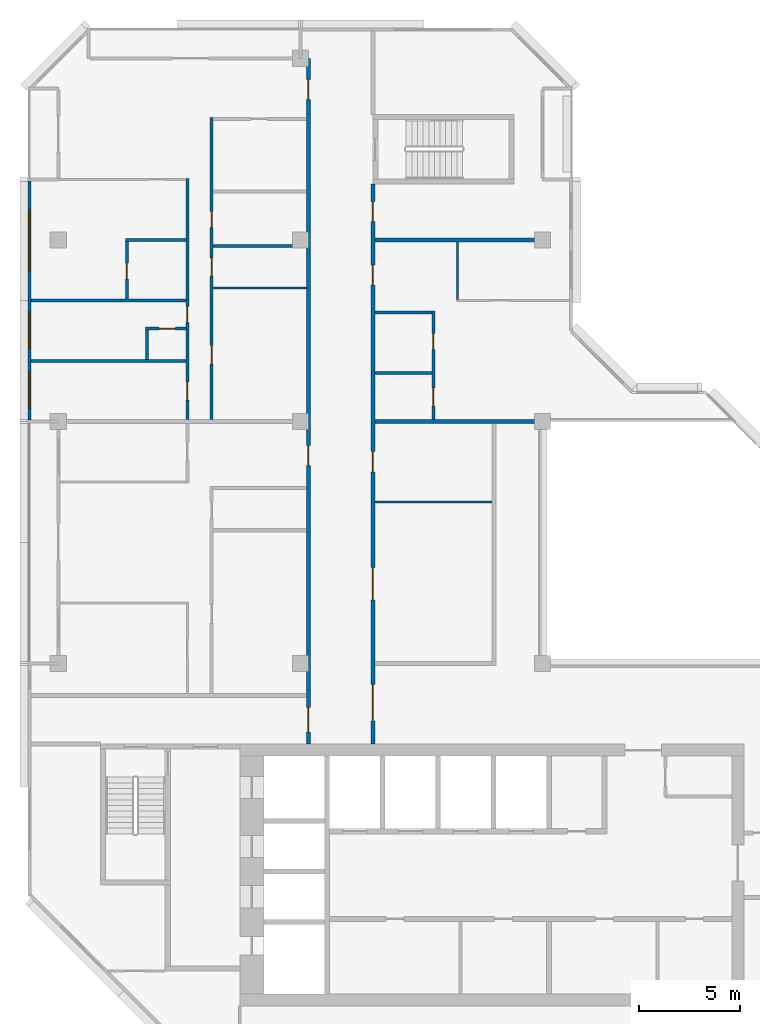
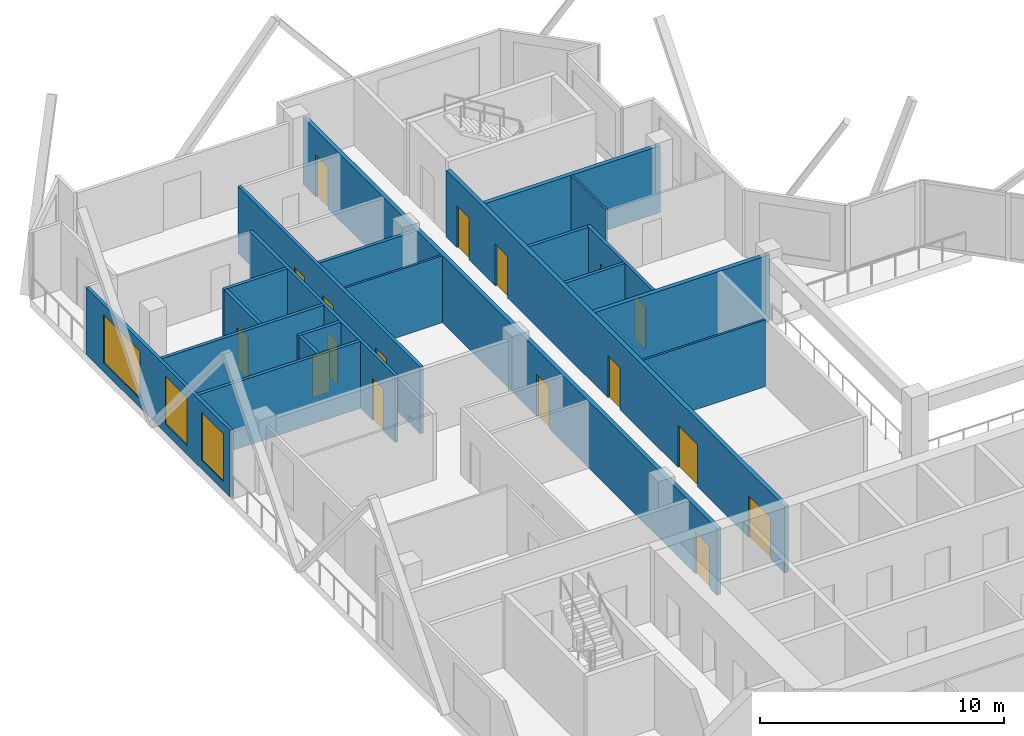
# One storey, part 9 of 13: 20 walls, 17 doors, 3 windows, 20 openings.
"""IFC4 building model written with IfcOpenShell, lengths in metres."""

from ifc_helpers import new_model, si_unit, direction, frame, frame_2d, origin, place, context, subcontext, project, spatial, rectangle, extrude, material, layer, layer_set, type_object, element, fill, save


model = new_model("IFC4")

# Units and contexts
model_context = context("Model", 3, precision=1e-05, world=origin(), true_north=direction((0.0, 1.0)))
body_context = subcontext(model_context, "Body", "Model", "MODEL_VIEW")
ifc_project = project(units=[si_unit("LENGTHUNIT", "METRE"), si_unit("AREAUNIT", "SQUARE_METRE"), si_unit("VOLUMEUNIT", "CUBIC_METRE"), si_unit("PLANEANGLEUNIT", "RADIAN"), si_unit("MASSUNIT", "GRAM", prefix="KILO")], contexts=[model_context])

# Site, building, storey
site_placement = place(None, origin())
site = spatial("IfcSite", under=ifc_project, at=site_placement, CompositionType="ELEMENT")
building_placement = place(site_placement, origin())
building = spatial("IfcBuilding", under=site, at=building_placement, Name="Chenar Terraces", CompositionType="ELEMENT")
storey_placement = place(building_placement, frame((0.0, 0.0, 288.39990234375)))
storey = spatial("IfcBuildingStorey", under=building, at=storey_placement, Name="L67", CompositionType="ELEMENT", Elevation=288.39990234375)

# Wall, openings, doors
ifc_material_1 = material(Name="Gypsum board on steel studs with fire boards", Category="steel")
ifc_layer_1 = layer(ifc_material_1, 0.199951171875)
ifc_layer_set_1 = layer_set([ifc_layer_1], Name="Gypsum board on steel studs with fire boards")
wall_type_1 = type_object("IfcWallType", Name="Corridor wall 200", PredefinedType="PARTITIONING", material=ifc_layer_set_1)
wall_1_placement = place(storey_placement, frame((12.39990234375, 20.0, 0.0), z_axis=(0.0, 0.0, 1.0), x_axis=(0.0, 1.0, 0.0)))
wall_1 = element("IfcWall", 1, at=wall_1_placement, inside=storey, type_object=wall_type_1, Name="Partition L67-029", PredefinedType="PARTITIONING", context=body_context, shape_type="SweptSolid", body=[
    extrude(rectangle(XDim=34.0, YDim=0.199951171875, at=frame_2d((17.0, 0.0))), origin(), (0.0, 0.0, 1.0), 3.35009765625),
])
opening_1_placement = place(wall_1_placement, frame((31.949951171875, 0.0, 0.0)))
opening_1 = element("IfcOpeningElement", 2, at=opening_1_placement, cuts=wall_1, Name="Opening DL67-26", PredefinedType="OPENING", context=body_context, shape_type="SweptSolid", body=[
    extrude(rectangle(XDim=1.0, YDim=2.10009765625, at=frame_2d((0.5, 1.050048828125))), frame((0.0, 0.10986328125, 0.0), z_axis=(0.0, -1.0, 0.0), x_axis=(1.0, 0.0, 0.0)), (0.0, 0.0, 1.0), 0.219970703125),
])
opening_2_placement = place(wall_1_placement, frame((0.60009765625, 0.0, 0.0)))
opening_2 = element("IfcOpeningElement", 3, at=opening_2_placement, cuts=wall_1, Name="Opening DL67-32", PredefinedType="OPENING", context=body_context, shape_type="SweptSolid", body=[
    extrude(rectangle(XDim=1.199951171875, YDim=2.10009765625, at=frame_2d((0.60009765625, 1.050048828125))), frame((0.0, 0.10986328125, 0.0), z_axis=(0.0, -1.0, 0.0), x_axis=(1.0, 0.0, 0.0)), (0.0, 0.0, 1.0), 0.219970703125),
])
opening_3_placement = place(wall_1_placement, frame((13.800048828125, 0.0, 0.0)))
opening_3 = element("IfcOpeningElement", 4, at=opening_3_placement, cuts=wall_1, Name="Opening DL67-52", PredefinedType="OPENING", context=body_context, shape_type="SweptSolid", body=[
    extrude(rectangle(XDim=1.0, YDim=2.10009765625, at=frame_2d((0.5, 1.050048828125))), frame((0.0, 0.10986328125, 0.0), z_axis=(0.0, -1.0, 0.0), x_axis=(1.0, 0.0, 0.0)), (0.0, 0.0, 1.0), 0.219970703125),
])
ifc_material_2 = material(Name="Steel-framed fire-resisting door leaf", Category="steel")
door_type_1 = type_object("IfcDoorType", Name="Fire door FD30S 1000 x 2100", OperationType="SINGLE_SWING_LEFT", PredefinedType="DOOR", material=ifc_material_2)
door_1_placement = place(opening_1_placement, origin())
door_1 = element("IfcDoor", 5, at=door_1_placement, inside=storey, type_object=door_type_1, Name="Door DL67-26", OperationType="SINGLE_SWING_RIGHT", OverallHeight=2.10009765625, OverallWidth=1.0, PredefinedType="DOOR", context=body_context, shape_type="SweptSolid", body=[
    extrude(rectangle(XDim=1.0, YDim=2.10009765625, at=frame_2d((0.5, 1.050048828125))), frame((0.0, 0.02490234375, 0.0), z_axis=(0.0, -1.0, 0.0), x_axis=(1.0, 0.0, 0.0)), (0.0, 0.0, 1.0), 0.050048828125),
])
fill(opening_1, door_1)
door_2_placement = place(opening_3_placement, origin())
door_2 = element("IfcDoor", 6, at=door_2_placement, inside=storey, type_object=door_type_1, Name="Door DL67-52", OperationType="SINGLE_SWING_RIGHT", OverallHeight=2.10009765625, OverallWidth=1.0, PredefinedType="DOOR", context=body_context, shape_type="SweptSolid", body=[
    extrude(rectangle(XDim=1.0, YDim=2.10009765625, at=frame_2d((0.5, 1.050048828125))), frame((0.0, 0.02490234375, 0.0), z_axis=(0.0, -1.0, 0.0), x_axis=(1.0, 0.0, 0.0)), (0.0, 0.0, 1.0), 0.050048828125),
])
fill(opening_3, door_2)
ifc_material_3 = material(Name="Steel-framed fire-resisting door leaf", Category="steel")
door_type_2 = type_object("IfcDoorType", Name="Fire door FD30S 1200 x 2100", OperationType="SINGLE_SWING_LEFT", PredefinedType="DOOR", material=ifc_material_3)
door_3_placement = place(opening_2_placement, origin())
door_3 = element("IfcDoor", 7, at=door_3_placement, inside=storey, type_object=door_type_2, Name="Door DL67-32", OperationType="SINGLE_SWING_RIGHT", OverallHeight=2.10009765625, OverallWidth=1.199951171875, PredefinedType="DOOR", context=body_context, shape_type="SweptSolid", body=[
    extrude(rectangle(XDim=1.199951171875, YDim=2.10009765625, at=frame_2d((0.60009765625, 1.050048828125))), frame((0.0, 0.02490234375, 0.0), z_axis=(0.0, -1.0, 0.0), x_axis=(1.0, 0.0, 0.0)), (0.0, 0.0, 1.0), 0.050048828125),
])
fill(opening_2, door_3)

wall_2_placement = place(storey_placement, frame((15.60009765625, 20.0, 0.0), z_axis=(0.0, 0.0, 1.0), x_axis=(0.0, 1.0, 0.0)))
wall_2 = element("IfcWall", 8, at=wall_2_placement, inside=storey, type_object=wall_type_1, Name="Partition L67-031", PredefinedType="PARTITIONING", context=body_context, shape_type="SweptSolid", body=[
    extrude(rectangle(XDim=27.77490234375, YDim=0.199951171875, at=frame_2d((13.887451171875, 0.0))), origin(), (0.0, 0.0, 1.0), 3.35009765625),
])
opening_4_placement = place(wall_2_placement, frame((7.14990234375, 0.0, 0.0)))
opening_4 = element("IfcOpeningElement", 9, at=opening_4_placement, cuts=wall_2, Name="Opening DL67-1", PredefinedType="OPENING", context=body_context, shape_type="SweptSolid", body=[
    extrude(rectangle(XDim=1.60009765625, YDim=2.10009765625, at=frame_2d((0.800048828125, 1.050048828125))), frame((0.0, 0.10986328125, 0.0), z_axis=(0.0, -1.0, 0.0), x_axis=(1.0, 0.0, 0.0)), (0.0, 0.0, 1.0), 0.219970703125),
])
opening_5_placement = place(wall_2_placement, frame((13.5, 0.0, 0.0)))
opening_5 = element("IfcOpeningElement", 10, at=opening_5_placement, cuts=wall_2, Name="Opening DL67-2", PredefinedType="OPENING", context=body_context, shape_type="SweptSolid", body=[
    extrude(rectangle(XDim=1.0, YDim=2.10009765625, at=frame_2d((0.5, 1.050048828125))), frame((0.0, 0.10986328125, 0.0), z_axis=(0.0, -1.0, 0.0), x_axis=(1.0, 0.0, 0.0)), (0.0, 0.0, 1.0), 0.219970703125),
])
opening_6_placement = place(wall_2_placement, frame((22.75, 0.0, 0.0)))
opening_6 = element("IfcOpeningElement", 11, at=opening_6_placement, cuts=wall_2, Name="Opening DL67-19", PredefinedType="OPENING", context=body_context, shape_type="SweptSolid", body=[
    extrude(rectangle(XDim=1.0, YDim=2.10009765625, at=frame_2d((0.5, 1.050048828125))), frame((0.0, 0.10986328125, 0.0), z_axis=(0.0, -1.0, 0.0), x_axis=(1.0, 0.0, 0.0)), (0.0, 0.0, 1.0), 0.219970703125),
])
opening_7_placement = place(wall_2_placement, frame((1.14990234375, 0.0, 0.0)))
opening_7 = element("IfcOpeningElement", 12, at=opening_7_placement, cuts=wall_2, Name="Opening DL67-31", PredefinedType="OPENING", context=body_context, shape_type="SweptSolid", body=[
    extrude(rectangle(XDim=1.800048828125, YDim=2.10009765625, at=frame_2d((0.89990234375, 1.050048828125))), frame((0.0, 0.10986328125, 0.0), z_axis=(0.0, -1.0, 0.0), x_axis=(1.0, 0.0, 0.0)), (0.0, 0.0, 1.0), 0.219970703125),
])
opening_8_placement = place(wall_2_placement, frame((25.89990234375, 0.0, 0.0)))
opening_8 = element("IfcOpeningElement", 13, at=opening_8_placement, cuts=wall_2, Name="Opening DL67-34", PredefinedType="OPENING", context=body_context, shape_type="SweptSolid", body=[
    extrude(rectangle(XDim=1.0, YDim=2.10009765625, at=frame_2d((0.5, 1.050048828125))), frame((0.0, 0.10986328125, 0.0), z_axis=(0.0, -1.0, 0.0), x_axis=(1.0, 0.0, 0.0)), (0.0, 0.0, 1.0), 0.219970703125),
])
ifc_material_4 = material(Name="Steel-framed fire-resisting door leaf", Category="steel")
door_type_3 = type_object("IfcDoorType", Name="Fire door FD60 1000 x 2100", OperationType="SINGLE_SWING_LEFT", PredefinedType="DOOR", material=ifc_material_4)
door_4_placement = place(opening_5_placement, frame((1.0, 0.0, 0.0), z_axis=(0.0, 0.0, 1.0), x_axis=(-1.0, 0.0, 0.0)))
door_4 = element("IfcDoor", 14, at=door_4_placement, inside=storey, type_object=door_type_3, Name="Door DL67-2", OperationType="SINGLE_SWING_LEFT", OverallHeight=2.10009765625, OverallWidth=1.0, PredefinedType="DOOR", context=body_context, shape_type="SweptSolid", body=[
    extrude(rectangle(XDim=1.0, YDim=2.10009765625, at=frame_2d((0.5, 1.050048828125))), frame((0.0, 0.02490234375, 0.0), z_axis=(0.0, -1.0, 0.0), x_axis=(1.0, 0.0, 0.0)), (0.0, 0.0, 1.0), 0.050048828125),
])
fill(opening_5, door_4)
door_5_placement = place(opening_6_placement, frame((1.0, 0.0, 0.0), z_axis=(0.0, 0.0, 1.0), x_axis=(-1.0, 0.0, 0.0)))
door_5 = element("IfcDoor", 15, at=door_5_placement, inside=storey, type_object=door_type_3, Name="Door DL67-19", OperationType="SINGLE_SWING_LEFT", OverallHeight=2.10009765625, OverallWidth=1.0, PredefinedType="DOOR", context=body_context, shape_type="SweptSolid", body=[
    extrude(rectangle(XDim=1.0, YDim=2.10009765625, at=frame_2d((0.5, 1.050048828125))), frame((0.0, 0.02490234375, 0.0), z_axis=(0.0, -1.0, 0.0), x_axis=(1.0, 0.0, 0.0)), (0.0, 0.0, 1.0), 0.050048828125),
])
fill(opening_6, door_5)
door_6_placement = place(opening_8_placement, frame((1.0, 0.0, 0.0), z_axis=(0.0, 0.0, 1.0), x_axis=(-1.0, 0.0, 0.0)))
door_6 = element("IfcDoor", 16, at=door_6_placement, inside=storey, type_object=door_type_3, Name="Door DL67-34", OperationType="SINGLE_SWING_RIGHT", OverallHeight=2.10009765625, OverallWidth=1.0, PredefinedType="DOOR", context=body_context, shape_type="SweptSolid", body=[
    extrude(rectangle(XDim=1.0, YDim=2.10009765625, at=frame_2d((0.5, 1.050048828125))), frame((0.0, 0.02490234375, 0.0), z_axis=(0.0, -1.0, 0.0), x_axis=(1.0, 0.0, 0.0)), (0.0, 0.0, 1.0), 0.050048828125),
])
fill(opening_8, door_6)
ifc_material_5 = material(Name="Steel-framed fire-resisting door leaf", Category="steel")
door_type_4 = type_object("IfcDoorType", Name="Fire double door FD60 1600 x 2100", OperationType="DOUBLE_DOOR_SINGLE_SWING", PredefinedType="DOOR", material=ifc_material_5)
door_7_placement = place(opening_4_placement, frame((1.60009765625, 0.0, 0.0), z_axis=(0.0, 0.0, 1.0), x_axis=(-1.0, 0.0, 0.0)))
door_7 = element("IfcDoor", 17, at=door_7_placement, inside=storey, type_object=door_type_4, Name="Door DL67-1", OperationType="DOUBLE_DOOR_SINGLE_SWING", OverallHeight=2.10009765625, OverallWidth=1.60009765625, PredefinedType="DOOR", context=body_context, shape_type="SweptSolid", body=[
    extrude(rectangle(XDim=1.60009765625, YDim=2.10009765625, at=frame_2d((0.800048828125, 1.050048828125))), frame((0.0, 0.02490234375, 0.0), z_axis=(0.0, -1.0, 0.0), x_axis=(1.0, 0.0, 0.0)), (0.0, 0.0, 1.0), 0.050048828125),
])
fill(opening_4, door_7)
ifc_material_6 = material(Name="Steel-framed fire-resisting door leaf", Category="steel")
door_type_5 = type_object("IfcDoorType", Name="Fire double door FD60 1800 x 2100", OperationType="DOUBLE_DOOR_SINGLE_SWING", PredefinedType="DOOR", material=ifc_material_6)
door_8_placement = place(opening_7_placement, frame((1.800048828125, 0.0, 0.0), z_axis=(0.0, 0.0, 1.0), x_axis=(-1.0, 0.0, 0.0)))
door_8 = element("IfcDoor", 18, at=door_8_placement, inside=storey, type_object=door_type_5, Name="Door DL67-31", OperationType="DOUBLE_DOOR_SINGLE_SWING", OverallHeight=2.10009765625, OverallWidth=1.800048828125, PredefinedType="DOOR", context=body_context, shape_type="SweptSolid", body=[
    extrude(rectangle(XDim=1.800048828125, YDim=2.10009765625, at=frame_2d((0.89990234375, 1.050048828125))), frame((0.0, 0.02490234375, 0.0), z_axis=(0.0, -1.0, 0.0), x_axis=(1.0, 0.0, 0.0)), (0.0, 0.0, 1.0), 0.050048828125),
])
fill(opening_7, door_8)

# Wall, openings, windows
ifc_material_7 = material(Name="Aluminium framed glazing", Category="aluminium")
ifc_layer_2 = layer(ifc_material_7, 0.14990234375)
ifc_layer_set_2 = layer_set([ifc_layer_2], Name="Aluminium framed glazing")
wall_type_2 = type_object("IfcWallType", Name="Glazed flush facade wall 150", PredefinedType="SOLIDWALL", material=ifc_layer_set_2)
wall_3_placement = place(storey_placement, frame((-1.425048828125, 47.925048828125, 0.0), z_axis=(0.0, 0.0, 1.0), x_axis=(0.0, -1.0, 0.0)))
wall_3 = element("IfcWall", 19, at=wall_3_placement, inside=storey, type_object=wall_type_2, Name="Glazed flush facade wall", PredefinedType="SOLIDWALL", context=body_context, shape_type="SweptSolid", body=[
    extrude(rectangle(XDim=11.85009765625, YDim=0.14990234375, at=frame_2d((5.925048828125, 0.0))), origin(), (0.0, 0.0, 1.0), 3.35009765625),
])
opening_9_placement = place(wall_3_placement, frame((1.46240234375, 0.0, 0.449951171875)))
opening_9 = element("IfcOpeningElement", 20, at=opening_9_placement, cuts=wall_3, Name="Opening W300x240", PredefinedType="OPENING", context=body_context, shape_type="SweptSolid", body=[
    extrude(rectangle(XDim=3.0, YDim=2.39990234375, at=frame_2d((1.5, 1.199951171875))), frame((0.0, 0.0849609375, 0.0), z_axis=(0.0, -1.0, 0.0), x_axis=(1.0, 0.0, 0.0)), (0.0, 0.0, 1.0), 0.169921875),
])
opening_10_placement = place(wall_3_placement, frame((6.52490234375, 0.0, 0.449951171875)))
opening_10 = element("IfcOpeningElement", 21, at=opening_10_placement, cuts=wall_3, Name="Opening W180x240", PredefinedType="OPENING", context=body_context, shape_type="SweptSolid", body=[
    extrude(rectangle(XDim=1.800048828125, YDim=2.39990234375, at=frame_2d((0.89990234375, 1.199951171875))), frame((0.0, 0.0849609375, 0.0), z_axis=(0.0, -1.0, 0.0), x_axis=(1.0, 0.0, 0.0)), (0.0, 0.0, 1.0), 0.169921875),
])
opening_11_placement = place(wall_3_placement, frame((9.487548828125, 0.0, 0.449951171875)))
opening_11 = element("IfcOpeningElement", 22, at=opening_11_placement, cuts=wall_3, Name="Opening W180x240", PredefinedType="OPENING", context=body_context, shape_type="SweptSolid", body=[
    extrude(rectangle(XDim=1.800048828125, YDim=2.39990234375, at=frame_2d((0.89990234375, 1.199951171875))), frame((0.0, 0.0849609375, 0.0), z_axis=(0.0, -1.0, 0.0), x_axis=(1.0, 0.0, 0.0)), (0.0, 0.0, 1.0), 0.169921875),
])
ifc_material_8 = material(Name="Low emissivity double glazing, aluminium frame", Category="aluminium")
window_type_1 = type_object("IfcWindowType", Name="Fixed light 1800 x 2400", PartitioningType="SINGLE_PANEL", PredefinedType="WINDOW", material=ifc_material_8)
window_1_placement = place(opening_10_placement, origin())
window_1 = element("IfcWindow", 23, at=window_1_placement, inside=storey, type_object=window_type_1, Name="Window", OverallHeight=2.39990234375, OverallWidth=1.800048828125, PartitioningType="SINGLE_PANEL", PredefinedType="WINDOW", context=body_context, shape_type="SweptSolid", body=[
    extrude(rectangle(XDim=1.800048828125, YDim=2.39990234375, at=frame_2d((0.89990234375, 1.199951171875))), frame((0.0, 0.030029296875, 0.0), z_axis=(0.0, -1.0, 0.0), x_axis=(1.0, 0.0, 0.0)), (0.0, 0.0, 1.0), 0.06005859375),
])
fill(opening_10, window_1)
window_2_placement = place(opening_11_placement, origin())
window_2 = element("IfcWindow", 24, at=window_2_placement, inside=storey, type_object=window_type_1, Name="Window", OverallHeight=2.39990234375, OverallWidth=1.800048828125, PartitioningType="SINGLE_PANEL", PredefinedType="WINDOW", context=body_context, shape_type="SweptSolid", body=[
    extrude(rectangle(XDim=1.800048828125, YDim=2.39990234375, at=frame_2d((0.89990234375, 1.199951171875))), frame((0.0, 0.030029296875, 0.0), z_axis=(0.0, -1.0, 0.0), x_axis=(1.0, 0.0, 0.0)), (0.0, 0.0, 1.0), 0.06005859375),
])
fill(opening_11, window_2)
ifc_material_9 = material(Name="Low emissivity double glazing, aluminium frame", Category="aluminium")
window_type_2 = type_object("IfcWindowType", Name="Fixed light 3000 x 2400", PartitioningType="SINGLE_PANEL", PredefinedType="WINDOW", material=ifc_material_9)
window_3_placement = place(opening_9_placement, origin())
window_3 = element("IfcWindow", 25, at=window_3_placement, inside=storey, type_object=window_type_2, Name="Window", OverallHeight=2.39990234375, OverallWidth=3.0, PartitioningType="SINGLE_PANEL", PredefinedType="WINDOW", context=body_context, shape_type="SweptSolid", body=[
    extrude(rectangle(XDim=3.0, YDim=2.39990234375, at=frame_2d((1.5, 1.199951171875))), frame((0.0, 0.030029296875, 0.0), z_axis=(0.0, -1.0, 0.0), x_axis=(1.0, 0.0, 0.0)), (0.0, 0.0, 1.0), 0.06005859375),
])
fill(opening_9, window_3)

# Walls
ifc_material_10 = material(Name="Gypsum board on steel studs", Category="steel")
ifc_layer_3 = layer(ifc_material_10, 0.10009765625)
ifc_layer_set_3 = layer_set([ifc_layer_3], Name="Gypsum board on steel studs")
wall_type_3 = type_object("IfcWallType", Name="Gypsum partition 100", PredefinedType="PARTITIONING", material=ifc_layer_set_3)
wall_4_placement = place(storey_placement, frame((7.675048828125, 42.60009765625, 0.0), z_axis=(0.0, 0.0, 1.0), x_axis=(1.0, 0.0, 0.0)))
element("IfcWall", 26, at=wall_4_placement, inside=storey, type_object=wall_type_3, Name="Partition L67-021", PredefinedType="PARTITIONING", context=body_context, shape_type="SweptSolid", body=[
    extrude(rectangle(XDim=4.625, YDim=0.10009765625, at=frame_2d((2.3125, 0.0))), origin(), (0.0, 0.0, 1.0), 3.35009765625),
])
wall_5_placement = place(storey_placement, frame((15.699951171875, 32.0, 0.0), z_axis=(0.0, 0.0, 1.0), x_axis=(1.0, 0.0, 0.0)))
element("IfcWall", 27, at=wall_5_placement, inside=storey, type_object=wall_type_3, Name="Partition L67-034", PredefinedType="PARTITIONING", context=body_context, shape_type="SweptSolid", body=[
    extrude(rectangle(XDim=5.800048828125, YDim=0.10009765625, at=frame_2d((2.89990234375, 0.0))), origin(), (0.0, 0.0, 1.0), 3.35009765625),
])
wall_6_placement = place(storey_placement, frame((19.800048828125, 42.050048828125, 0.0), z_axis=(0.0, 0.0, 1.0), x_axis=(0.0, 1.0, 0.0)))
element("IfcWall", 28, at=wall_6_placement, inside=storey, type_object=wall_type_3, Name="Partition L67-041", PredefinedType="PARTITIONING", context=body_context, shape_type="SweptSolid", body=[
    extrude(rectangle(XDim=2.849853515625, YDim=0.10009765625, at=frame_2d((1.4248046875, 0.0))), origin(), (0.0, 0.0, 1.0), 3.35009765625),
])
ifc_material_11 = material(Name="Twin gypsum board on steel studs with mineral wool", Category="steel")
ifc_layer_4 = layer(ifc_material_11, 0.199951171875)
ifc_layer_set_4 = layer_set([ifc_layer_4], Name="Twin gypsum board on steel studs with mineral wool")
wall_type_4 = type_object("IfcWallType", Name="Unit demising wall 200", PredefinedType="PARTITIONING", material=ifc_layer_set_4)
for number, where, z_axis, x_axis, name in (
    (29, (15.699951171875, 36.0, 0.0), (0.0, 0.0, 1.0), (1.0, 0.0, 0.0), "Partition L67-035"),
    (30, (15.699951171875, 45.0, 0.0), (0.0, 0.0, 1.0), (1.0, 0.0, 0.0), "Partition L67-038"),
):
    element("IfcWall", number, at=place(storey_placement, frame(where, z_axis=z_axis, x_axis=x_axis)), inside=storey, type_object=wall_type_4, Name=name, PredefinedType="PARTITIONING", context=body_context, shape_type="SweptSolid", body=[
        extrude(rectangle(XDim=8.300048828125, YDim=0.199951171875, at=frame_2d((4.14990234375, 0.0))), origin(), (0.0, 0.0, 1.0), 3.35009765625),
    ])
ifc_material_12 = material(Name="Moisture-resistant gypsum board on steel studs", Category="steel")
ifc_layer_5 = layer(ifc_material_12, 0.14990234375)
ifc_layer_set_5 = layer_set([ifc_layer_5], Name="Moisture-resistant gypsum board on steel studs")
wall_type_5 = type_object("IfcWallType", Name="Wet-room partition 150", PredefinedType="PARTITIONING", material=ifc_layer_set_5)
for number, where, z_axis, x_axis, name in (
    (31, (-1.35107421875, 39.0, 0.0), (0.0, 0.0, 1.0), (1.0, 0.0, 0.0), "Partition L67-001"),
    (32, (-1.35107421875, 42.0, 0.0), (0.0, 0.0, 1.0), (1.0, 0.0, 0.0), "Partition L67-002"),
):
    element("IfcWall", number, at=place(storey_placement, frame(where, z_axis=z_axis, x_axis=x_axis)), inside=storey, type_object=wall_type_5, Name=name, PredefinedType="PARTITIONING", context=body_context, shape_type="SweptSolid", body=[
        extrude(rectangle(XDim=7.676025390625, YDim=0.14990234375, at=frame_2d((3.837890625, 0.0))), origin(), (0.0, 0.0, 1.0), 3.35009765625),
    ])
wall_7_placement = place(storey_placement, frame((3.324951171875, 45.0, 0.0), z_axis=(0.0, 0.0, 1.0), x_axis=(1.0, 0.0, 0.0)))
element("IfcWall", 33, at=wall_7_placement, inside=storey, type_object=wall_type_5, Name="Partition L67-010", PredefinedType="PARTITIONING", context=body_context, shape_type="SweptSolid", body=[
    extrude(rectangle(XDim=3.0, YDim=0.14990234375, at=frame_2d((1.5, 0.0))), origin(), (0.0, 0.0, 1.0), 3.35009765625),
])

# Wall, opening, door
wall_8_placement = place(storey_placement, frame((3.39990234375, 42.074951171875, 0.0), z_axis=(0.0, 0.0, 1.0), x_axis=(0.0, 1.0, 0.0)))
wall_8 = element("IfcWall", 34, at=wall_8_placement, inside=storey, type_object=wall_type_5, Name="Partition L67-011", PredefinedType="PARTITIONING", context=body_context, shape_type="SweptSolid", body=[
    extrude(rectangle(XDim=2.85009765625, YDim=0.14990234375, at=frame_2d((1.425048828125, 0.0))), origin(), (0.0, 0.0, 1.0), 3.35009765625),
])
opening_12_placement = place(wall_8_placement, frame((0.97509765625, 0.0, 0.0)))
opening_12 = element("IfcOpeningElement", 35, at=opening_12_placement, cuts=wall_8, Name="Opening DL67-23", PredefinedType="OPENING", context=body_context, shape_type="SweptSolid", body=[
    extrude(rectangle(XDim=0.800048828125, YDim=2.10009765625, at=frame_2d((0.39990234375, 1.050048828125))), frame((0.0, 0.0849609375, 0.0), z_axis=(0.0, -1.0, 0.0), x_axis=(1.0, 0.0, 0.0)), (0.0, 0.0, 1.0), 0.169921875),
])
ifc_material_13 = material(Name="Veneered timber door leaf", Category="wood")
door_type_6 = type_object("IfcDoorType", Name="Door 800 x 2100", OperationType="SINGLE_SWING_LEFT", PredefinedType="DOOR", material=ifc_material_13)
door_9_placement = place(opening_12_placement, frame((0.800048828125, 0.0, 0.0), z_axis=(0.0, 0.0, 1.0), x_axis=(-1.0, 0.0, 0.0)))
door_9 = element("IfcDoor", 36, at=door_9_placement, inside=storey, type_object=door_type_6, Name="Door DL67-23", OperationType="SINGLE_SWING_RIGHT", OverallHeight=2.10009765625, OverallWidth=0.800048828125, PredefinedType="DOOR", context=body_context, shape_type="SweptSolid", body=[
    extrude(rectangle(XDim=0.800048828125, YDim=2.10009765625, at=frame_2d((0.39990234375, 1.050048828125))), frame((0.0, 0.02490234375, 0.0), z_axis=(0.0, -1.0, 0.0), x_axis=(1.0, 0.0, 0.0)), (0.0, 0.0, 1.0), 0.050048828125),
])
fill(opening_12, door_9)

wall_9_placement = place(storey_placement, frame((4.324951171875, 40.60009765625, 0.0), z_axis=(0.0, 0.0, 1.0), x_axis=(1.0, 0.0, 0.0)))
wall_9 = element("IfcWall", 37, at=wall_9_placement, inside=storey, type_object=wall_type_5, Name="Partition L67-012", PredefinedType="PARTITIONING", context=body_context, shape_type="SweptSolid", body=[
    extrude(rectangle(XDim=2.0, YDim=0.14990234375, at=frame_2d((1.0, 0.0))), origin(), (0.0, 0.0, 1.0), 3.35009765625),
])
opening_13_placement = place(wall_9_placement, frame((0.675048828125, 0.0, 0.0)))
opening_13 = element("IfcOpeningElement", 38, at=opening_13_placement, cuts=wall_9, Name="Opening DL67-28", PredefinedType="OPENING", context=body_context, shape_type="SweptSolid", body=[
    extrude(rectangle(XDim=0.800048828125, YDim=2.10009765625, at=frame_2d((0.39990234375, 1.050048828125))), frame((0.0, 0.0849609375, 0.0), z_axis=(0.0, -1.0, 0.0), x_axis=(1.0, 0.0, 0.0)), (0.0, 0.0, 1.0), 0.169921875),
])
door_10_placement = place(opening_13_placement, frame((0.800048828125, 0.0, 0.0), z_axis=(0.0, 0.0, 1.0), x_axis=(-1.0, 0.0, 0.0)))
door_10 = element("IfcDoor", 39, at=door_10_placement, inside=storey, type_object=door_type_6, Name="Door DL67-28", OperationType="SINGLE_SWING_RIGHT", OverallHeight=2.10009765625, OverallWidth=0.800048828125, PredefinedType="DOOR", context=body_context, shape_type="SweptSolid", body=[
    extrude(rectangle(XDim=0.800048828125, YDim=2.10009765625, at=frame_2d((0.39990234375, 1.050048828125))), frame((0.0, 0.02490234375, 0.0), z_axis=(0.0, -1.0, 0.0), x_axis=(1.0, 0.0, 0.0)), (0.0, 0.0, 1.0), 0.050048828125),
])
fill(opening_13, door_10)

# Wall
wall_10_placement = place(storey_placement, frame((4.39990234375, 39.074951171875, 0.0), z_axis=(0.0, 0.0, 1.0), x_axis=(0.0, 1.0, 0.0)))
element("IfcWall", 40, at=wall_10_placement, inside=storey, type_object=wall_type_5, Name="Partition L67-013", PredefinedType="PARTITIONING", context=body_context, shape_type="SweptSolid", body=[
    extrude(rectangle(XDim=1.449951171875, YDim=0.14990234375, at=frame_2d((0.72509765625, 0.0))), origin(), (0.0, 0.0, 1.0), 3.35009765625),
])

# Wall, openings, doors
wall_11_placement = place(storey_placement, frame((6.39990234375, 36.10009765625, 0.0), z_axis=(0.0, 0.0, 1.0), x_axis=(0.0, 1.0, 0.0)))
wall_11 = element("IfcWall", 41, at=wall_11_placement, inside=storey, type_object=wall_type_5, Name="Partition L67-016", PredefinedType="PARTITIONING", context=body_context, shape_type="SweptSolid", body=[
    extrude(rectangle(XDim=11.949951171875, YDim=0.14990234375, at=frame_2d((5.97509765625, 0.0))), origin(), (0.0, 0.0, 1.0), 3.35009765625),
])
opening_14_placement = place(wall_11_placement, frame((0.949951171875, 0.0, 0.0)))
opening_14 = element("IfcOpeningElement", 42, at=opening_14_placement, cuts=wall_11, Name="Opening DL67-21", PredefinedType="OPENING", context=body_context, shape_type="SweptSolid", body=[
    extrude(rectangle(XDim=0.89990234375, YDim=2.10009765625, at=frame_2d((0.449951171875, 1.050048828125))), frame((0.0, 0.0849609375, 0.0), z_axis=(0.0, -1.0, 0.0), x_axis=(1.0, 0.0, 0.0)), (0.0, 0.0, 1.0), 0.169921875),
])
opening_15_placement = place(wall_11_placement, frame((4.800048828125, 0.0, 0.0)))
opening_15 = element("IfcOpeningElement", 43, at=opening_15_placement, cuts=wall_11, Name="Opening DL67-27", PredefinedType="OPENING", context=body_context, shape_type="SweptSolid", body=[
    extrude(rectangle(XDim=0.800048828125, YDim=2.10009765625, at=frame_2d((0.39990234375, 1.050048828125))), frame((0.0, 0.0849609375, 0.0), z_axis=(0.0, -1.0, 0.0), x_axis=(1.0, 0.0, 0.0)), (0.0, 0.0, 1.0), 0.169921875),
])
door_11_placement = place(opening_15_placement, origin())
door_11 = element("IfcDoor", 44, at=door_11_placement, inside=storey, type_object=door_type_6, Name="Door DL67-27", OperationType="SINGLE_SWING_RIGHT", OverallHeight=2.10009765625, OverallWidth=0.800048828125, PredefinedType="DOOR", context=body_context, shape_type="SweptSolid", body=[
    extrude(rectangle(XDim=0.800048828125, YDim=2.10009765625, at=frame_2d((0.39990234375, 1.050048828125))), frame((0.0, 0.02490234375, 0.0), z_axis=(0.0, -1.0, 0.0), x_axis=(1.0, 0.0, 0.0)), (0.0, 0.0, 1.0), 0.050048828125),
])
fill(opening_15, door_11)
ifc_material_14 = material(Name="Veneered timber door leaf", Category="wood")
door_type_7 = type_object("IfcDoorType", Name="Door 900 x 2100", OperationType="SINGLE_SWING_LEFT", PredefinedType="DOOR", material=ifc_material_14)
door_12_placement = place(opening_14_placement, origin())
door_12 = element("IfcDoor", 45, at=door_12_placement, inside=storey, type_object=door_type_7, Name="Door DL67-21", OperationType="SINGLE_SWING_RIGHT", OverallHeight=2.10009765625, OverallWidth=0.89990234375, PredefinedType="DOOR", context=body_context, shape_type="SweptSolid", body=[
    extrude(rectangle(XDim=0.89990234375, YDim=2.10009765625, at=frame_2d((0.449951171875, 1.050048828125))), frame((0.0, 0.02490234375, 0.0), z_axis=(0.0, -1.0, 0.0), x_axis=(1.0, 0.0, 0.0)), (0.0, 0.0, 1.0), 0.050048828125),
])
fill(opening_14, door_12)

wall_12_placement = place(storey_placement, frame((7.60009765625, 36.10009765625, 0.0), z_axis=(0.0, 0.0, 1.0), x_axis=(0.0, 1.0, 0.0)))
wall_12 = element("IfcWall", 46, at=wall_12_placement, inside=storey, type_object=wall_type_5, Name="Partition L67-018", PredefinedType="PARTITIONING", context=body_context, shape_type="SweptSolid", body=[
    extrude(rectangle(XDim=14.974853515625, YDim=0.14990234375, at=frame_2d((7.4873046875, 0.0))), origin(), (0.0, 0.0, 1.0), 3.35009765625),
])
opening_16_placement = place(wall_12_placement, frame((9.5, 0.0, 0.0)))
opening_16 = element("IfcOpeningElement", 47, at=opening_16_placement, cuts=wall_12, Name="Opening DL67-20", PredefinedType="OPENING", context=body_context, shape_type="SweptSolid", body=[
    extrude(rectangle(XDim=0.800048828125, YDim=2.10009765625, at=frame_2d((0.39990234375, 1.050048828125))), frame((0.0, 0.0849609375, 0.0), z_axis=(0.0, -1.0, 0.0), x_axis=(1.0, 0.0, 0.0)), (0.0, 0.0, 1.0), 0.169921875),
])
opening_17_placement = place(wall_12_placement, frame((2.75, 0.0, 0.0)))
opening_17 = element("IfcOpeningElement", 48, at=opening_17_placement, cuts=wall_12, Name="Opening DL67-24", PredefinedType="OPENING", context=body_context, shape_type="SweptSolid", body=[
    extrude(rectangle(XDim=0.89990234375, YDim=2.10009765625, at=frame_2d((0.449951171875, 1.050048828125))), frame((0.0, 0.0849609375, 0.0), z_axis=(0.0, -1.0, 0.0), x_axis=(1.0, 0.0, 0.0)), (0.0, 0.0, 1.0), 0.169921875),
])
opening_18_placement = place(wall_12_placement, frame((7.10009765625, 0.0, 0.0)))
opening_18 = element("IfcOpeningElement", 49, at=opening_18_placement, cuts=wall_12, Name="Opening DL67-29", PredefinedType="OPENING", context=body_context, shape_type="SweptSolid", body=[
    extrude(rectangle(XDim=0.89990234375, YDim=2.10009765625, at=frame_2d((0.449951171875, 1.050048828125))), frame((0.0, 0.0849609375, 0.0), z_axis=(0.0, -1.0, 0.0), x_axis=(1.0, 0.0, 0.0)), (0.0, 0.0, 1.0), 0.169921875),
])
door_13_placement = place(opening_16_placement, frame((0.800048828125, 0.0, 0.0), z_axis=(0.0, 0.0, 1.0), x_axis=(-1.0, 0.0, 0.0)))
door_13 = element("IfcDoor", 50, at=door_13_placement, inside=storey, type_object=door_type_6, Name="Door DL67-20", OperationType="SINGLE_SWING_RIGHT", OverallHeight=2.10009765625, OverallWidth=0.800048828125, PredefinedType="DOOR", context=body_context, shape_type="SweptSolid", body=[
    extrude(rectangle(XDim=0.800048828125, YDim=2.10009765625, at=frame_2d((0.39990234375, 1.050048828125))), frame((0.0, 0.02490234375, 0.0), z_axis=(0.0, -1.0, 0.0), x_axis=(1.0, 0.0, 0.0)), (0.0, 0.0, 1.0), 0.050048828125),
])
fill(opening_16, door_13)
door_14_placement = place(opening_17_placement, frame((0.89990234375, 0.0, 0.0), z_axis=(0.0, 0.0, 1.0), x_axis=(-1.0, 0.0, 0.0)))
door_14 = element("IfcDoor", 51, at=door_14_placement, inside=storey, type_object=door_type_7, Name="Door DL67-24", OperationType="SINGLE_SWING_LEFT", OverallHeight=2.10009765625, OverallWidth=0.89990234375, PredefinedType="DOOR", context=body_context, shape_type="SweptSolid", body=[
    extrude(rectangle(XDim=0.89990234375, YDim=2.10009765625, at=frame_2d((0.449951171875, 1.050048828125))), frame((0.0, 0.02490234375, 0.0), z_axis=(0.0, -1.0, 0.0), x_axis=(1.0, 0.0, 0.0)), (0.0, 0.0, 1.0), 0.050048828125),
])
fill(opening_17, door_14)
door_15_placement = place(opening_18_placement, frame((0.89990234375, 0.0, 0.0), z_axis=(0.0, 0.0, 1.0), x_axis=(-1.0, 0.0, 0.0)))
door_15 = element("IfcDoor", 52, at=door_15_placement, inside=storey, type_object=door_type_7, Name="Door DL67-29", OperationType="SINGLE_SWING_RIGHT", OverallHeight=2.10009765625, OverallWidth=0.89990234375, PredefinedType="DOOR", context=body_context, shape_type="SweptSolid", body=[
    extrude(rectangle(XDim=0.89990234375, YDim=2.10009765625, at=frame_2d((0.449951171875, 1.050048828125))), frame((0.0, 0.02490234375, 0.0), z_axis=(0.0, -1.0, 0.0), x_axis=(1.0, 0.0, 0.0)), (0.0, 0.0, 1.0), 0.050048828125),
])
fill(opening_18, door_15)

# Walls
wall_13_placement = place(storey_placement, frame((7.675048828125, 44.699951171875, 0.0), z_axis=(0.0, 0.0, 1.0), x_axis=(1.0, 0.0, 0.0)))
element("IfcWall", 53, at=wall_13_placement, inside=storey, type_object=wall_type_5, Name="Partition L67-022", PredefinedType="PARTITIONING", context=body_context, shape_type="SweptSolid", body=[
    extrude(rectangle(XDim=4.625, YDim=0.14990234375, at=frame_2d((2.3125, 0.0))), origin(), (0.0, 0.0, 1.0), 3.35009765625),
])
for number, where, z_axis, x_axis, name in (
    (54, (15.699951171875, 38.39990234375, 0.0), (0.0, 0.0, 1.0), (1.0, 0.0, 0.0), "Partition L67-036"),
    (55, (15.699951171875, 41.39990234375, 0.0), (0.0, 0.0, 1.0), (1.0, 0.0, 0.0), "Partition L67-037"),
):
    element("IfcWall", number, at=place(storey_placement, frame(where, z_axis=z_axis, x_axis=x_axis)), inside=storey, type_object=wall_type_5, Name=name, PredefinedType="PARTITIONING", context=body_context, shape_type="SweptSolid", body=[
        extrude(rectangle(XDim=2.824951171875, YDim=0.14990234375, at=frame_2d((1.41259765625, 0.0))), origin(), (0.0, 0.0, 1.0), 3.35009765625),
    ])

# Wall, openings, doors
wall_14_placement = place(storey_placement, frame((18.60009765625, 36.10009765625, 0.0), z_axis=(0.0, 0.0, 1.0), x_axis=(0.0, 1.0, 0.0)))
wall_14 = element("IfcWall", 56, at=wall_14_placement, inside=storey, type_object=wall_type_5, Name="Partition L67-039", PredefinedType="PARTITIONING", context=body_context, shape_type="SweptSolid", body=[
    extrude(rectangle(XDim=5.375, YDim=0.14990234375, at=frame_2d((2.6875, 0.0))), origin(), (0.0, 0.0, 1.0), 3.35009765625),
])
opening_19_placement = place(wall_14_placement, frame((3.449951171875, 0.0, 0.0)))
opening_19 = element("IfcOpeningElement", 57, at=opening_19_placement, cuts=wall_14, Name="Opening DL67-16", PredefinedType="OPENING", context=body_context, shape_type="SweptSolid", body=[
    extrude(rectangle(XDim=0.800048828125, YDim=2.10009765625, at=frame_2d((0.39990234375, 1.050048828125))), frame((0.0, 0.0849609375, 0.0), z_axis=(0.0, -1.0, 0.0), x_axis=(1.0, 0.0, 0.0)), (0.0, 0.0, 1.0), 0.169921875),
])
opening_20_placement = place(wall_14_placement, frame((0.64990234375, 0.0, 0.0)))
opening_20 = element("IfcOpeningElement", 58, at=opening_20_placement, cuts=wall_14, Name="Opening DL67-18", PredefinedType="OPENING", context=body_context, shape_type="SweptSolid", body=[
    extrude(rectangle(XDim=0.89990234375, YDim=2.10009765625, at=frame_2d((0.449951171875, 1.050048828125))), frame((0.0, 0.0849609375, 0.0), z_axis=(0.0, -1.0, 0.0), x_axis=(1.0, 0.0, 0.0)), (0.0, 0.0, 1.0), 0.169921875),
])
door_16_placement = place(opening_19_placement, origin())
door_16 = element("IfcDoor", 59, at=door_16_placement, inside=storey, type_object=door_type_6, Name="Door DL67-16", OperationType="SINGLE_SWING_RIGHT", OverallHeight=2.10009765625, OverallWidth=0.800048828125, PredefinedType="DOOR", context=body_context, shape_type="SweptSolid", body=[
    extrude(rectangle(XDim=0.800048828125, YDim=2.10009765625, at=frame_2d((0.39990234375, 1.050048828125))), frame((0.0, 0.02490234375, 0.0), z_axis=(0.0, -1.0, 0.0), x_axis=(1.0, 0.0, 0.0)), (0.0, 0.0, 1.0), 0.050048828125),
])
fill(opening_19, door_16)
door_17_placement = place(opening_20_placement, origin())
door_17 = element("IfcDoor", 60, at=door_17_placement, inside=storey, type_object=door_type_7, Name="Door DL67-18", OperationType="SINGLE_SWING_RIGHT", OverallHeight=2.10009765625, OverallWidth=0.89990234375, PredefinedType="DOOR", context=body_context, shape_type="SweptSolid", body=[
    extrude(rectangle(XDim=0.89990234375, YDim=2.10009765625, at=frame_2d((0.449951171875, 1.050048828125))), frame((0.0, 0.02490234375, 0.0), z_axis=(0.0, -1.0, 0.0), x_axis=(1.0, 0.0, 0.0)), (0.0, 0.0, 1.0), 0.050048828125),
])
fill(opening_20, door_17)

save(model, "model.ifc")
